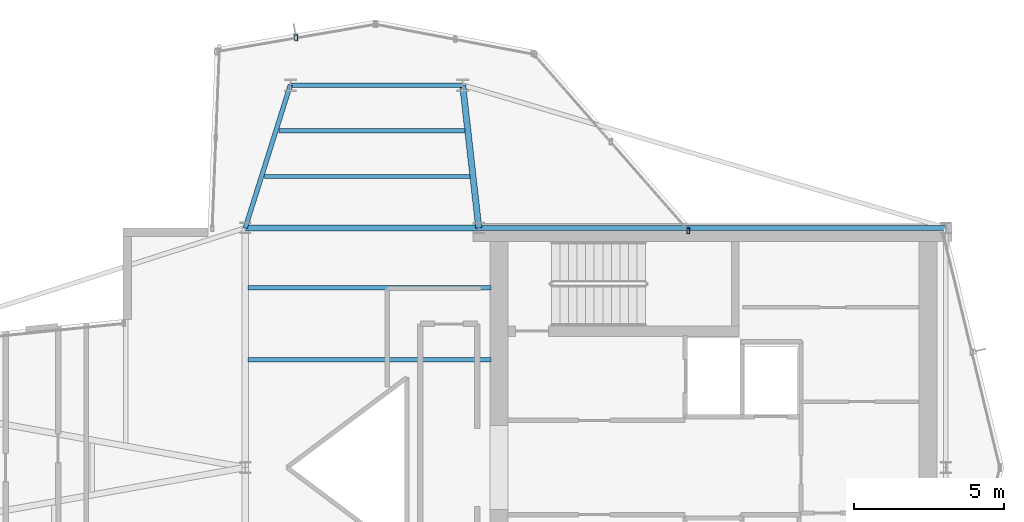
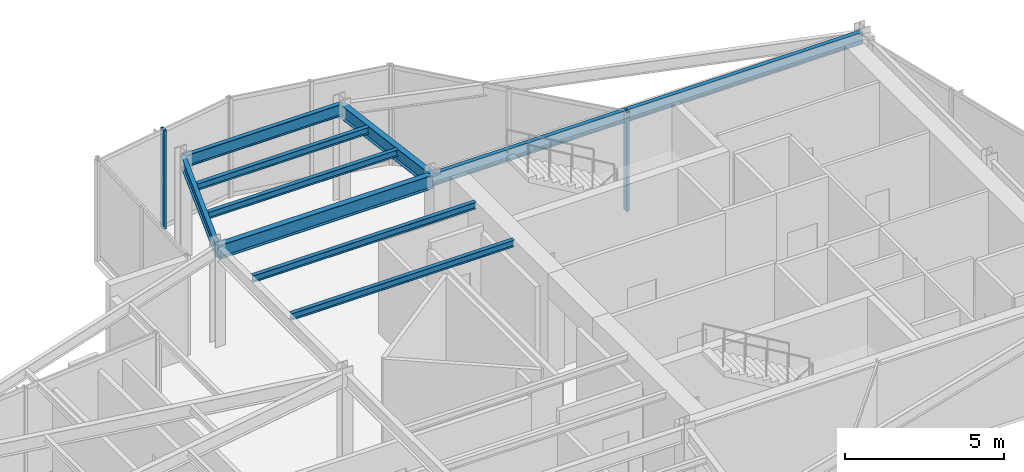
# One storey, part 6 of 15: 9 beams, 2 members, 2 elements without a shape of their own.
"""IFC4 building model written with IfcOpenShell, lengths in metres."""

from ifc_helpers import new_model, si_unit, direction, frame, origin, origin_2d, place, context, subcontext, project, spatial, hollow_rectangle, i_section, extrude, material, layer, layer_set, material_profile, profile_set, type_object, element, aggregate, save


model = new_model("IFC4")

# Units and contexts
model_context = context("Model", 3, precision=1e-05, world=origin(), true_north=direction((0.0, 1.0)))
body_context = subcontext(model_context, "Body", "Model", "MODEL_VIEW")
ifc_project = project(units=[si_unit("LENGTHUNIT", "METRE"), si_unit("AREAUNIT", "SQUARE_METRE"), si_unit("VOLUMEUNIT", "CUBIC_METRE"), si_unit("PLANEANGLEUNIT", "RADIAN"), si_unit("MASSUNIT", "GRAM", prefix="KILO")], contexts=[model_context])

# Site, building, storey
site_placement = place(None, origin())
site = spatial("IfcSite", under=ifc_project, at=site_placement, CompositionType="ELEMENT")
building_placement = place(site_placement, origin())
building = spatial("IfcBuilding", under=site, at=building_placement, Name="Veymaron Broadcast Tower", CompositionType="ELEMENT")
storey_placement = place(building_placement, frame((0.0, 0.0, 266.85009765625)))
storey = spatial("IfcBuildingStorey", under=building, at=storey_placement, Name="L62", CompositionType="ELEMENT", Elevation=266.85009765625)

# Beams
ifc_material_1 = material(Name="Structural steel ASTM A992 Gr 50", Category="steel")
ifc_material_profile_1 = material_profile(ifc_material_1, i_section(OverallWidth=0.208984375, OverallDepth=0.528076171875, WebThickness=0.009521484375, FlangeThickness=0.01318359375, at=origin_2d()), Name="W530X82")
ifc_profile_set_1 = profile_set([ifc_material_profile_1], Name="Structural steel ASTM A992 Gr 50")
beam_type_1 = type_object("IfcBeamType", Name="BM-FG4", PredefinedType="BEAM", material=ifc_profile_set_1)
beam_1_placement = place(storey_placement, frame((31.199951171875, 32.0, 3.5458984375), z_axis=(1.0, 0.0, 0.0), x_axis=(0.0, 1.0, 0.0)))
element("IfcBeam", 1, at=beam_1_placement, inside=storey, type_object=beam_type_1, Name="L62 primary structural floor girder", PredefinedType="BEAM", context=body_context, shape_type="SweptSolid", body=[
    extrude(i_section(OverallWidth=0.208984375, OverallDepth=0.528076171875, WebThickness=0.009521484375, FlangeThickness=0.01318359375, at=origin_2d()), origin(), (0.0, 0.0, 1.0), 7.800048828125),
])
beam_2_placement = place(storey_placement, frame((39.0, 32.0, 3.5458984375), z_axis=(-0.112049553621, 0.993702620271, 0.0), x_axis=(-0.993702620271, -0.112049553621, 0.0)))
element("IfcBeam", 2, at=beam_2_placement, inside=storey, type_object=beam_type_1, Name="L62 primary structural floor girder", PredefinedType="BEAM", context=body_context, shape_type="SweptSolid", body=[
    extrude(i_section(OverallWidth=0.208984375, OverallDepth=0.528076171875, WebThickness=0.009521484375, FlangeThickness=0.01318359375, at=origin_2d()), origin(), (0.0, 0.0, 1.0), 4.80224609375),
])
ifc_material_profile_2 = material_profile(ifc_material_1, i_section(OverallWidth=0.14599609375, OverallDepth=0.258056640625, WebThickness=0.006103515625, FlangeThickness=0.009033203125, at=origin_2d()), Name="W250X33")
ifc_profile_set_2 = profile_set([ifc_material_profile_2], Name="Structural steel ASTM A992 Gr 50")
beam_type_2 = type_object("IfcBeamType", Name="BM-JS4", PredefinedType="JOIST", material=ifc_profile_set_2)
beam_3_placement = place(storey_placement, frame((31.84228515625, 33.718017578125, 3.680908203125), z_axis=(1.0, 0.0, 0.0), x_axis=(0.0, 1.0, 0.0)))
element("IfcBeam", 3, at=beam_3_placement, inside=storey, type_object=beam_type_2, Name="L62 Arm-B secondary joist 1", PredefinedType="JOIST", context=body_context, shape_type="SweptSolid", body=[
    extrude(i_section(OverallWidth=0.14599609375, OverallDepth=0.258056640625, WebThickness=0.006103515625, FlangeThickness=0.009033203125, at=origin_2d()), origin(), (0.0, 0.0, 1.0), 6.864013671875),
])
beam_4_placement = place(storey_placement, frame((32.324462890625, 35.2451171875, 3.680908203125), z_axis=(1.0, 0.0, 0.0), x_axis=(0.0, 1.0, 0.0)))
element("IfcBeam", 4, at=beam_4_placement, inside=storey, type_object=beam_type_2, Name="L62 Arm-B secondary joist 2", PredefinedType="JOIST", context=body_context, shape_type="SweptSolid", body=[
    extrude(i_section(OverallWidth=0.14599609375, OverallDepth=0.258056640625, WebThickness=0.006103515625, FlangeThickness=0.009033203125, at=origin_2d()), origin(), (0.0, 0.0, 1.0), 6.209716796875),
])
for number, where, z_axis, x_axis, name in (
    (5, (31.300048828125, 27.60009765625, 3.680908203125), (1.0, 0.0, 0.0), (0.0, 1.0, 0.0), "L62 Hub secondary joist 3"),
    (6, (31.300048828125, 30.0, 3.680908203125), (1.0, 0.0, 0.0), (0.0, 1.0, 0.0), "L62 Hub secondary joist 4"),
):
    element("IfcBeam", number, at=place(storey_placement, frame(where, z_axis=z_axis, x_axis=x_axis)), inside=storey, type_object=beam_type_2, Name=name, PredefinedType="JOIST", context=body_context, shape_type="SweptSolid", body=[
        extrude(i_section(OverallWidth=0.14599609375, OverallDepth=0.258056640625, WebThickness=0.006103515625, FlangeThickness=0.009033203125, at=origin_2d()), origin(), (0.0, 0.0, 1.0), 8.099853515625),
    ])
ifc_material_profile_3 = material_profile(ifc_material_1, i_section(OverallWidth=0.154052734375, OverallDepth=0.458984375, WebThickness=0.009033203125, FlangeThickness=0.015380859375, at=origin_2d()), Name="W460X68")
ifc_profile_set_3 = profile_set([ifc_material_profile_3], Name="Structural steel ASTM A992 Gr 50")
beam_type_3 = type_object("IfcBeamType", Name="BM-SP2", PredefinedType="SPANDREL", material=ifc_profile_set_3)
beam_5_placement = place(storey_placement, frame((39.0, 32.0, 3.580322265625), z_axis=(1.0, 0.0, 0.0), x_axis=(0.0, 1.0, 0.0)))
element("IfcBeam", 7, at=beam_5_placement, inside=storey, type_object=beam_type_3, Name="L62 primary structural floor girder", PredefinedType="SPANDREL", context=body_context, shape_type="SweptSolid", body=[
    extrude(i_section(OverallWidth=0.154052734375, OverallDepth=0.458984375, WebThickness=0.009033203125, FlangeThickness=0.015380859375, at=origin_2d()), origin(), (0.0, 0.0, 1.0), 15.60009765625),
])
beam_6_placement = place(storey_placement, frame((31.199951171875, 32.0, 3.580322265625), z_axis=(0.301023957979, 0.953616577416, 0.0), x_axis=(-0.953616577416, 0.301023957979, 0.0)))
element("IfcBeam", 8, at=beam_6_placement, inside=storey, type_object=beam_type_3, Name="L62 primary structural floor girder", PredefinedType="SPANDREL", context=body_context, shape_type="SweptSolid", body=[
    extrude(i_section(OverallWidth=0.154052734375, OverallDepth=0.458984375, WebThickness=0.009033203125, FlangeThickness=0.015380859375, at=origin_2d()), origin(), (0.0, 0.0, 1.0), 5.004150390625),
])
beam_7_placement = place(storey_placement, frame((32.706298828125, 36.77197265625, 3.580322265625), z_axis=(1.0, 0.0, 0.0), x_axis=(0.0, 1.0, 0.0)))
element("IfcBeam", 9, at=beam_7_placement, inside=storey, type_object=beam_type_3, Name="L62 primary structural floor girder", PredefinedType="SPANDREL", context=body_context, shape_type="SweptSolid", body=[
    extrude(i_section(OverallWidth=0.154052734375, OverallDepth=0.458984375, WebThickness=0.009033203125, FlangeThickness=0.015380859375, at=origin_2d()), origin(), (0.0, 0.0, 1.0), 5.755615234375),
])

# Curtain wall, member
ifc_material_2 = material(Name="Anodised aluminium AA 6063-T6 and laminated low-E dark glass", Category="aluminium")
ifc_layer = layer(ifc_material_2, 0.179931640625)
ifc_layer_set = layer_set([ifc_layer], Name="Anodised aluminium AA 6063-T6 and laminated low-E dark glass")
curtain_wall_type = type_object("IfcCurtainWallType", Name="CW-SYS-06", PredefinedType="NOTDEFINED", material=ifc_layer_set)
curtain_wall_1_placement = place(storey_placement, origin())
curtain_wall_1 = element("IfcCurtainWall", 10, at=curtain_wall_1_placement, inside=storey, type_object=curtain_wall_type, Name="L62 dark-glass curtain wall CW-L62-E5-1", PredefinedType="NOTDEFINED")
ifc_material_3 = material(Name="Anodised aluminium AA 6063-T6", Category="aluminium")
ifc_material_profile_4 = material_profile(ifc_material_3, hollow_rectangle(XDim=0.10009765625, YDim=0.199951171875, WallThickness=0.010009765625, at=origin_2d()), Name="RHS200X100X10")
ifc_profile_set_4 = profile_set([ifc_material_profile_4], Name="Anodised aluminium AA 6063-T6")
member_type = type_object("IfcMemberType", Name="CW-MUL-01", PredefinedType="MULLION", material=ifc_profile_set_4)
member_1_placement = place(storey_placement, frame((45.994384765625, 31.90771484375, 0.0), z_axis=(0.0, 0.0, 1.0), x_axis=(1.0, 0.0, 0.0)))
member_1 = element("IfcMember", 11, at=member_1_placement, type_object=member_type, Name="CW-L62-E5-1 mullion 0", PredefinedType="MULLION", context=body_context, shape_type="SweptSolid", body=[
    extrude(hollow_rectangle(XDim=0.10009765625, YDim=0.199951171875, WallThickness=0.010009765625, at=origin_2d()), origin(), (0.0, 0.0, 1.0), 3.809814453125),
])
aggregate(curtain_wall_1, [member_1])

curtain_wall_2_placement = place(storey_placement, origin())
curtain_wall_2 = element("IfcCurtainWall", 12, at=curtain_wall_2_placement, inside=storey, type_object=curtain_wall_type, Name="L62 dark-glass curtain wall CW-L62-E7-1", PredefinedType="NOTDEFINED")
member_2_placement = place(storey_placement, frame((32.89794921875, 38.34521484375, 0.0), z_axis=(0.0, 0.0, 1.0), x_axis=(1.0, 0.0, 0.0)))
member_2 = element("IfcMember", 13, at=member_2_placement, type_object=member_type, Name="CW-L62-E7-1 mullion 1", PredefinedType="MULLION", context=body_context, shape_type="SweptSolid", body=[
    extrude(hollow_rectangle(XDim=0.10009765625, YDim=0.199951171875, WallThickness=0.010009765625, at=origin_2d()), origin(), (0.0, 0.0, 1.0), 3.809814453125),
])
aggregate(curtain_wall_2, [member_2])

save(model, "model.ifc")
